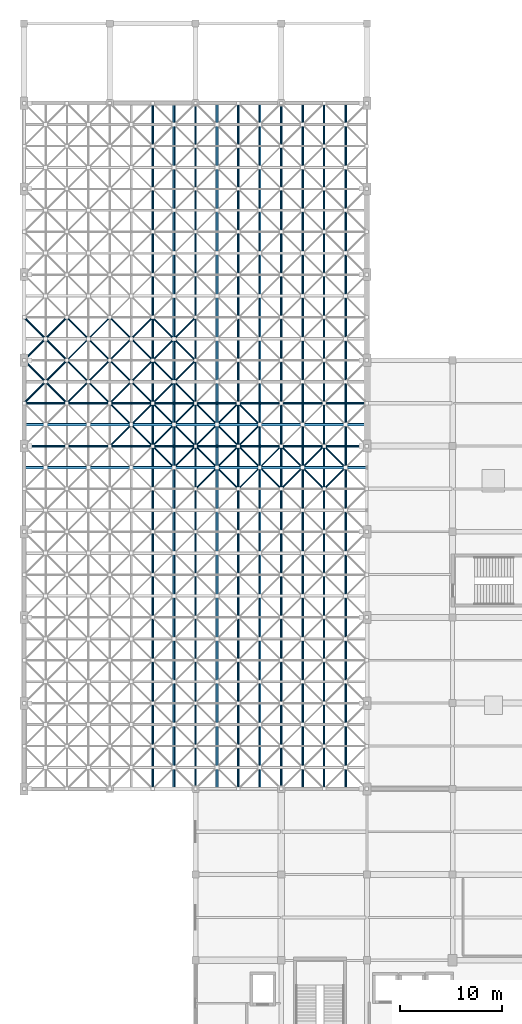
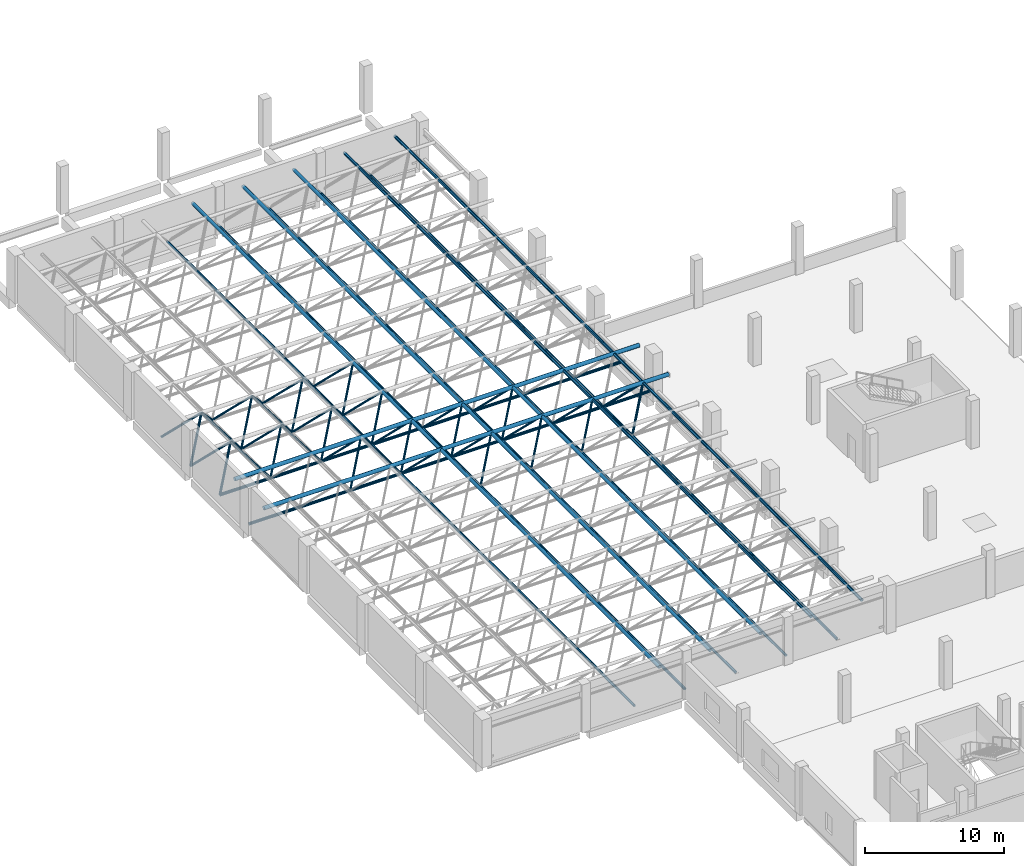
# One storey, part 27 of 64: 76 members.
"""IFC4 building model written with IfcOpenShell, lengths in metres."""

from ifc_helpers import new_model, si_unit, derived_unit, direction, frame, origin, origin_2d, place, context, subcontext, project, spatial, hollow_circle, extrude, material, material_profile, profile_set, type_object, element, save


model = new_model("IFC4")

# Units and contexts
model_context = context("Model", 3, precision=1e-05, world=origin(), true_north=direction((0.0, 1.0)))
body_context = subcontext(model_context, "Body", "Model", "MODEL_VIEW")
ifc_project = project(units=[si_unit("LENGTHUNIT", "METRE"), si_unit("AREAUNIT", "SQUARE_METRE"), si_unit("VOLUMEUNIT", "CUBIC_METRE"), si_unit("PLANEANGLEUNIT", "RADIAN"), si_unit("MASSUNIT", "GRAM", prefix="KILO"), derived_unit("THERMALTRANSMITTANCEUNIT", [(si_unit("POWERUNIT", "WATT"), 1), (si_unit("LENGTHUNIT", "METRE"), -2), (si_unit("THERMODYNAMICTEMPERATUREUNIT", "KELVIN"), -1)])], contexts=[model_context])

# Site, building, storey
site_placement = place(None, origin())
site = spatial("IfcSite", under=ifc_project, at=site_placement, CompositionType="ELEMENT")
building_placement = place(site_placement, origin())
building = spatial("IfcBuilding", under=site, at=building_placement, Name="Barrovel Congress Hotel", CompositionType="ELEMENT")
storey_placement = place(building_placement, frame((0.0, 0.0, 14.10009765625)))
storey = spatial("IfcBuildingStorey", under=building, at=storey_placement, Name="L03", CompositionType="ELEMENT", Elevation=14.10009765625)

# Members
ifc_material = material(Name="Steel ASTM A500 Grade C", Category="steel")
ifc_material_profile_1 = material_profile(ifc_material, hollow_circle(Radius=0.084228515625, WallThickness=0.006591796875, at=origin_2d()), Name="CHS168.3x7.1")
ifc_profile_set_1 = profile_set([ifc_material_profile_1], Name="Steel ASTM A500 Grade C")
member_type_1 = type_object("IfcMemberType", Name="MEM-CHS168.3x7.1", PredefinedType="BRACE", material=ifc_profile_set_1)
for number, where, z_axis, x_axis, name in (
    (1, (4.199951171875, 79.800048828125, 0.599853515625), (0.527618240532, 0.527556903839, 0.665809811786), (-0.707065676302, 0.707147883682, 0.0), "Space Frame Roof Truss Diagonal 1-10-1"),
    (2, (8.39990234375, 79.800048828125, 0.599853515625), (-0.527573976661, 0.527573976661, 0.665831358755), (-0.707106781187, -0.707106781187, 0.0), "Space Frame Roof Truss Diagonal 1-10-2"),
):
    element("IfcMember", number, at=place(storey_placement, frame(where, z_axis=z_axis, x_axis=x_axis)), inside=storey, type_object=member_type_1, Name=name, PredefinedType="BRACE", context=body_context, shape_type="SweptSolid", body=[
        extrude(hollow_circle(Radius=0.084228515625, WallThickness=0.006591796875, at=origin_2d()), origin(), (0.0, 0.0, 1.0), 3.980224609375),
    ])
member_1_placement = place(storey_placement, frame((4.199951171875, 84.0, 0.599853515625), z_axis=(0.527601167383, -0.527601167383, 0.665788266908), x_axis=(0.707106781187, 0.707106781187, 0.0)))
element("IfcMember", 3, at=member_1_placement, inside=storey, type_object=member_type_1, Name="Space Frame Roof Truss Diagonal 1-10-3", PredefinedType="BRACE", context=body_context, shape_type="SweptSolid", body=[
    extrude(hollow_circle(Radius=0.084228515625, WallThickness=0.006591796875, at=origin_2d()), origin(), (0.0, 0.0, 1.0), 3.98046875),
])
for number, where, z_axis, x_axis, name in (
    (4, (8.39990234375, 84.0, 0.599853515625), (-0.527556903839, -0.527618240532, 0.665809811786), (0.707147883682, -0.707065676302, 0.0), "Space Frame Roof Truss Diagonal 1-10-4"),
    (5, (8.39990234375, 75.60009765625, 0.599853515625), (0.527618240532, 0.527556903839, 0.665809811786), (-0.707065676302, 0.707147883682, 0.0), "Space Frame Roof Truss Diagonal 2-9-1"),
    (6, (12.60009765625, 75.60009765625, 0.599853515625), (-0.527618240532, 0.527556903839, 0.665809811786), (-0.707065676302, -0.707147883682, 0.0), "Space Frame Roof Truss Diagonal 2-9-2"),
):
    element("IfcMember", number, at=place(storey_placement, frame(where, z_axis=z_axis, x_axis=x_axis)), inside=storey, type_object=member_type_1, Name=name, PredefinedType="BRACE", context=body_context, shape_type="SweptSolid", body=[
        extrude(hollow_circle(Radius=0.084228515625, WallThickness=0.006591796875, at=origin_2d()), origin(), (0.0, 0.0, 1.0), 3.980224609375),
    ])
for number, where, z_axis, x_axis, name in (
    (7, (8.39990234375, 79.800048828125, 0.599853515625), (0.527601167383, -0.527601167383, 0.665788266908), (0.707106781187, 0.707106781187, 0.0), "Space Frame Roof Truss Diagonal 2-9-3"),
    (8, (12.60009765625, 79.800048828125, 0.599853515625), (-0.527601167383, -0.527601167383, 0.665788266908), (0.707106781187, -0.707106781187, 0.0), "Space Frame Roof Truss Diagonal 2-9-4"),
):
    element("IfcMember", number, at=place(storey_placement, frame(where, z_axis=z_axis, x_axis=x_axis)), inside=storey, type_object=member_type_1, Name=name, PredefinedType="BRACE", context=body_context, shape_type="SweptSolid", body=[
        extrude(hollow_circle(Radius=0.084228515625, WallThickness=0.006591796875, at=origin_2d()), origin(), (0.0, 0.0, 1.0), 3.98046875),
    ])
member_2_placement = place(storey_placement, frame((12.60009765625, 71.39990234375, 0.599853515625), z_axis=(0.527556903839, 0.527618240532, 0.665809811786), x_axis=(-0.707147883682, 0.707065676302, 0.0)))
element("IfcMember", 9, at=member_2_placement, inside=storey, type_object=member_type_1, Name="Space Frame Roof Truss Diagonal 3-8-1", PredefinedType="BRACE", context=body_context, shape_type="SweptSolid", body=[
    extrude(hollow_circle(Radius=0.084228515625, WallThickness=0.006591796875, at=origin_2d()), origin(), (0.0, 0.0, 1.0), 3.980224609375),
])
member_3_placement = place(storey_placement, frame((16.800048828125, 71.39990234375, 0.599853515625), z_axis=(-0.527601167383, 0.527601167383, 0.665788266908), x_axis=(-0.707106781187, -0.707106781187, 0.0)))
element("IfcMember", 10, at=member_3_placement, inside=storey, type_object=member_type_1, Name="Space Frame Roof Truss Diagonal 3-8-2", PredefinedType="BRACE", context=body_context, shape_type="SweptSolid", body=[
    extrude(hollow_circle(Radius=0.084228515625, WallThickness=0.006591796875, at=origin_2d()), origin(), (0.0, 0.0, 1.0), 3.98046875),
])
member_4_placement = place(storey_placement, frame((12.60009765625, 75.60009765625, 0.599853515625), z_axis=(0.527556903839, -0.527618240532, 0.665809811786), x_axis=(0.707147883682, 0.707065676302, 0.0)))
element("IfcMember", 11, at=member_4_placement, inside=storey, type_object=member_type_1, Name="Space Frame Roof Truss Diagonal 3-8-3", PredefinedType="BRACE", context=body_context, shape_type="SweptSolid", body=[
    extrude(hollow_circle(Radius=0.084228515625, WallThickness=0.006591796875, at=origin_2d()), origin(), (0.0, 0.0, 1.0), 3.980224609375),
])
member_5_placement = place(storey_placement, frame((16.800048828125, 75.60009765625, 0.599853515625), z_axis=(-0.527601167383, -0.527601167383, 0.665788266908), x_axis=(0.707106781187, -0.707106781187, 0.0)))
element("IfcMember", 12, at=member_5_placement, inside=storey, type_object=member_type_1, Name="Space Frame Roof Truss Diagonal 3-8-4", PredefinedType="BRACE", context=body_context, shape_type="SweptSolid", body=[
    extrude(hollow_circle(Radius=0.084228515625, WallThickness=0.006591796875, at=origin_2d()), origin(), (0.0, 0.0, 1.0), 3.98046875),
])
for number, where, z_axis, x_axis, name in (
    (13, (12.60009765625, 79.800048828125, 0.599853515625), (0.527573976661, 0.527573976661, 0.665831358755), (-0.707106781187, 0.707106781187, 0.0), "Space Frame Roof Truss Diagonal 3-10-1"),
    (14, (16.800048828125, 79.800048828125, 0.599853515625), (-0.527618240532, 0.527556903839, 0.665809811786), (-0.707065676302, -0.707147883682, 0.0), "Space Frame Roof Truss Diagonal 3-10-2"),
    (15, (12.60009765625, 84.0, 0.599853515625), (0.527556903839, -0.527618240532, 0.665809811786), (0.707147883682, 0.707065676302, 0.0), "Space Frame Roof Truss Diagonal 3-10-3"),
):
    element("IfcMember", number, at=place(storey_placement, frame(where, z_axis=z_axis, x_axis=x_axis)), inside=storey, type_object=member_type_1, Name=name, PredefinedType="BRACE", context=body_context, shape_type="SweptSolid", body=[
        extrude(hollow_circle(Radius=0.084228515625, WallThickness=0.006591796875, at=origin_2d()), origin(), (0.0, 0.0, 1.0), 3.980224609375),
    ])
member_6_placement = place(storey_placement, frame((16.800048828125, 84.0, 0.599853515625), z_axis=(-0.527601167383, -0.527601167383, 0.665788266908), x_axis=(0.707106781187, -0.707106781187, 0.0)))
element("IfcMember", 16, at=member_6_placement, inside=storey, type_object=member_type_1, Name="Space Frame Roof Truss Diagonal 3-10-4", PredefinedType="BRACE", context=body_context, shape_type="SweptSolid", body=[
    extrude(hollow_circle(Radius=0.084228515625, WallThickness=0.006591796875, at=origin_2d()), origin(), (0.0, 0.0, 1.0), 3.98046875),
])
member_7_placement = place(storey_placement, frame((16.800048828125, 67.199951171875, 0.599853515625), z_axis=(0.527556903839, 0.527618240532, 0.665809811786), x_axis=(-0.707147883682, 0.707065676302, 0.0)))
element("IfcMember", 17, at=member_7_placement, inside=storey, type_object=member_type_1, Name="Space Frame Roof Truss Diagonal 4-7-1", PredefinedType="BRACE", context=body_context, shape_type="SweptSolid", body=[
    extrude(hollow_circle(Radius=0.084228515625, WallThickness=0.006591796875, at=origin_2d()), origin(), (0.0, 0.0, 1.0), 3.980224609375),
])
member_8_placement = place(storey_placement, frame((21.0, 67.199951171875, 0.599853515625), z_axis=(-0.527601167383, 0.527601167383, 0.665788266908), x_axis=(-0.707106781187, -0.707106781187, 0.0)))
element("IfcMember", 18, at=member_8_placement, inside=storey, type_object=member_type_1, Name="Space Frame Roof Truss Diagonal 4-7-2", PredefinedType="BRACE", context=body_context, shape_type="SweptSolid", body=[
    extrude(hollow_circle(Radius=0.084228515625, WallThickness=0.006591796875, at=origin_2d()), origin(), (0.0, 0.0, 1.0), 3.98046875),
])
for number, where, z_axis, x_axis, name in (
    (19, (16.800048828125, 71.39990234375, 0.599853515625), (0.527573976661, -0.527573976661, 0.665831358755), (0.707106781187, 0.707106781187, 0.0), "Space Frame Roof Truss Diagonal 4-7-3"),
    (20, (21.0, 71.39990234375, 0.599853515625), (-0.527618240532, -0.527556903839, 0.665809811786), (0.707065676302, -0.707147883682, 0.0), "Space Frame Roof Truss Diagonal 4-7-4"),
):
    element("IfcMember", number, at=place(storey_placement, frame(where, z_axis=z_axis, x_axis=x_axis)), inside=storey, type_object=member_type_1, Name=name, PredefinedType="BRACE", context=body_context, shape_type="SweptSolid", body=[
        extrude(hollow_circle(Radius=0.084228515625, WallThickness=0.006591796875, at=origin_2d()), origin(), (0.0, 0.0, 1.0), 3.980224609375),
    ])
for number, where, z_axis, x_axis, name in (
    (21, (21.0, 71.39990234375, 0.599853515625), (0.527601167383, 0.527601167383, 0.665788266908), (-0.707106781187, 0.707106781187, 0.0), "Space Frame Roof Truss Diagonal 5-8-1"),
    (22, (21.0, 75.60009765625, 0.599853515625), (0.527601167383, -0.527601167383, 0.665788266908), (0.707106781187, 0.707106781187, 0.0), "Space Frame Roof Truss Diagonal 5-8-3"),
    (23, (25.199951171875, 67.199951171875, 0.599853515625), (0.527601167383, 0.527601167383, 0.665788266908), (-0.707106781187, 0.707106781187, 0.0), "Space Frame Roof Truss Diagonal 6-7-1"),
):
    element("IfcMember", number, at=place(storey_placement, frame(where, z_axis=z_axis, x_axis=x_axis)), inside=storey, type_object=member_type_1, Name=name, PredefinedType="BRACE", context=body_context, shape_type="SweptSolid", body=[
        extrude(hollow_circle(Radius=0.084228515625, WallThickness=0.006591796875, at=origin_2d()), origin(), (0.0, 0.0, 1.0), 3.98046875),
    ])
for number, where, z_axis, x_axis, name in (
    (24, (29.39990234375, 67.199951171875, 0.599853515625), (-0.527556903839, 0.527618240532, 0.665809811786), (-0.707147883682, -0.707065676302, 0.0), "Space Frame Roof Truss Diagonal 6-7-2"),
    (25, (25.199951171875, 71.39990234375, 0.599853515625), (0.527618240532, -0.527556903839, 0.665809811786), (0.707065676302, 0.707147883682, 0.0), "Space Frame Roof Truss Diagonal 6-7-3"),
    (26, (29.39990234375, 71.39990234375, 0.599853515625), (-0.527573976661, -0.527573976661, 0.665831358755), (0.707106781187, -0.707106781187, 0.0), "Space Frame Roof Truss Diagonal 6-7-4"),
):
    element("IfcMember", number, at=place(storey_placement, frame(where, z_axis=z_axis, x_axis=x_axis)), inside=storey, type_object=member_type_1, Name=name, PredefinedType="BRACE", context=body_context, shape_type="SweptSolid", body=[
        extrude(hollow_circle(Radius=0.084228515625, WallThickness=0.006591796875, at=origin_2d()), origin(), (0.0, 0.0, 1.0), 3.980224609375),
    ])
ifc_material_profile_2 = material_profile(ifc_material, hollow_circle(Radius=0.084228515625, WallThickness=0.0087890625, at=origin_2d()), Name="CHS168.3x9.5")
ifc_profile_set_2 = profile_set([ifc_material_profile_2], Name="Steel ASTM A500 Grade C")
member_type_2 = type_object("IfcMemberType", Name="MEM-CHS168.3x9.5", PredefinedType="BRACE", material=ifc_profile_set_2)
for number, where, z_axis, x_axis, name in (
    (27, (4.199951171875, 75.60009765625, 0.599853515625), (0.527618240532, 0.527556903839, 0.665809811786), (-0.707065676302, 0.707147883682, 0.0), "Space Frame Roof Truss Diagonal 1-9-1"),
    (28, (8.39990234375, 75.60009765625, 0.599853515625), (-0.527573976661, 0.527573976661, 0.665831358755), (-0.707106781187, -0.707106781187, 0.0), "Space Frame Roof Truss Diagonal 1-9-2"),
):
    element("IfcMember", number, at=place(storey_placement, frame(where, z_axis=z_axis, x_axis=x_axis)), inside=storey, type_object=member_type_2, Name=name, PredefinedType="BRACE", context=body_context, shape_type="SweptSolid", body=[
        extrude(hollow_circle(Radius=0.084228515625, WallThickness=0.0087890625, at=origin_2d()), origin(), (0.0, 0.0, 1.0), 3.980224609375),
    ])
member_9_placement = place(storey_placement, frame((4.199951171875, 79.800048828125, 0.599853515625), z_axis=(0.527601167383, -0.527601167383, 0.665788266908), x_axis=(0.707106781187, 0.707106781187, 0.0)))
element("IfcMember", 29, at=member_9_placement, inside=storey, type_object=member_type_2, Name="Space Frame Roof Truss Diagonal 1-9-3", PredefinedType="BRACE", context=body_context, shape_type="SweptSolid", body=[
    extrude(hollow_circle(Radius=0.084228515625, WallThickness=0.0087890625, at=origin_2d()), origin(), (0.0, 0.0, 1.0), 3.98046875),
])
member_10_placement = place(storey_placement, frame((8.39990234375, 79.800048828125, 0.599853515625), z_axis=(-0.527556903839, -0.527618240532, 0.665809811786), x_axis=(0.707147883682, -0.707065676302, 0.0)))
element("IfcMember", 30, at=member_10_placement, inside=storey, type_object=member_type_2, Name="Space Frame Roof Truss Diagonal 1-9-4", PredefinedType="BRACE", context=body_context, shape_type="SweptSolid", body=[
    extrude(hollow_circle(Radius=0.084228515625, WallThickness=0.0087890625, at=origin_2d()), origin(), (0.0, 0.0, 1.0), 3.980224609375),
])
for number, where, z_axis, x_axis, name in (
    (31, (8.39990234375, 71.39990234375, 0.599853515625), (0.527601167383, 0.527601167383, 0.665788266908), (-0.707106781187, 0.707106781187, 0.0), "Space Frame Roof Truss Diagonal 2-8-1"),
    (32, (12.60009765625, 71.39990234375, 0.599853515625), (-0.527601167383, 0.527601167383, 0.665788266908), (-0.707106781187, -0.707106781187, 0.0), "Space Frame Roof Truss Diagonal 2-8-2"),
    (33, (8.39990234375, 75.60009765625, 0.599853515625), (0.527601167383, -0.527601167383, 0.665788266908), (0.707106781187, 0.707106781187, 0.0), "Space Frame Roof Truss Diagonal 2-8-3"),
    (34, (12.60009765625, 75.60009765625, 0.599853515625), (-0.527601167383, -0.527601167383, 0.665788266908), (0.707106781187, -0.707106781187, 0.0), "Space Frame Roof Truss Diagonal 2-8-4"),
):
    element("IfcMember", number, at=place(storey_placement, frame(where, z_axis=z_axis, x_axis=x_axis)), inside=storey, type_object=member_type_2, Name=name, PredefinedType="BRACE", context=body_context, shape_type="SweptSolid", body=[
        extrude(hollow_circle(Radius=0.084228515625, WallThickness=0.0087890625, at=origin_2d()), origin(), (0.0, 0.0, 1.0), 3.98046875),
    ])
for number, where, z_axis, x_axis, name in (
    (35, (8.39990234375, 79.800048828125, 0.599853515625), (0.527618240532, 0.527556903839, 0.665809811786), (-0.707065676302, 0.707147883682, 0.0), "Space Frame Roof Truss Diagonal 2-10-1"),
    (36, (12.60009765625, 79.800048828125, 0.599853515625), (-0.527618240532, 0.527556903839, 0.665809811786), (-0.707065676302, -0.707147883682, 0.0), "Space Frame Roof Truss Diagonal 2-10-2"),
):
    element("IfcMember", number, at=place(storey_placement, frame(where, z_axis=z_axis, x_axis=x_axis)), inside=storey, type_object=member_type_2, Name=name, PredefinedType="BRACE", context=body_context, shape_type="SweptSolid", body=[
        extrude(hollow_circle(Radius=0.084228515625, WallThickness=0.0087890625, at=origin_2d()), origin(), (0.0, 0.0, 1.0), 3.980224609375),
    ])
for number, where, z_axis, x_axis, name in (
    (37, (8.39990234375, 84.0, 0.599853515625), (0.527601167383, -0.527601167383, 0.665788266908), (0.707106781187, 0.707106781187, 0.0), "Space Frame Roof Truss Diagonal 2-10-3"),
    (38, (12.60009765625, 84.0, 0.599853515625), (-0.527601167383, -0.527601167383, 0.665788266908), (0.707106781187, -0.707106781187, 0.0), "Space Frame Roof Truss Diagonal 2-10-4"),
):
    element("IfcMember", number, at=place(storey_placement, frame(where, z_axis=z_axis, x_axis=x_axis)), inside=storey, type_object=member_type_2, Name=name, PredefinedType="BRACE", context=body_context, shape_type="SweptSolid", body=[
        extrude(hollow_circle(Radius=0.084228515625, WallThickness=0.0087890625, at=origin_2d()), origin(), (0.0, 0.0, 1.0), 3.98046875),
    ])
for number, where, z_axis, x_axis, name in (
    (39, (12.60009765625, 71.39990234375, 0.599853515625), (0.527573976661, -0.527573976661, 0.665831358755), (0.707106781187, 0.707106781187, 0.0), "Space Frame Roof Truss Diagonal 3-7-3"),
    (40, (16.800048828125, 71.39990234375, 0.599853515625), (-0.527618240532, -0.527556903839, 0.665809811786), (0.707065676302, -0.707147883682, 0.0), "Space Frame Roof Truss Diagonal 3-7-4"),
    (41, (12.60009765625, 75.60009765625, 0.599853515625), (0.527573976661, 0.527573976661, 0.665831358755), (-0.707106781187, 0.707106781187, 0.0), "Space Frame Roof Truss Diagonal 3-9-1"),
    (42, (16.800048828125, 75.60009765625, 0.599853515625), (-0.527618240532, 0.527556903839, 0.665809811786), (-0.707065676302, -0.707147883682, 0.0), "Space Frame Roof Truss Diagonal 3-9-2"),
    (43, (12.60009765625, 79.800048828125, 0.599853515625), (0.527556903839, -0.527618240532, 0.665809811786), (0.707147883682, 0.707065676302, 0.0), "Space Frame Roof Truss Diagonal 3-9-3"),
):
    element("IfcMember", number, at=place(storey_placement, frame(where, z_axis=z_axis, x_axis=x_axis)), inside=storey, type_object=member_type_2, Name=name, PredefinedType="BRACE", context=body_context, shape_type="SweptSolid", body=[
        extrude(hollow_circle(Radius=0.084228515625, WallThickness=0.0087890625, at=origin_2d()), origin(), (0.0, 0.0, 1.0), 3.980224609375),
    ])
member_11_placement = place(storey_placement, frame((16.800048828125, 79.800048828125, 0.599853515625), z_axis=(-0.527601167383, -0.527601167383, 0.665788266908), x_axis=(0.707106781187, -0.707106781187, 0.0)))
element("IfcMember", 44, at=member_11_placement, inside=storey, type_object=member_type_2, Name="Space Frame Roof Truss Diagonal 3-9-4", PredefinedType="BRACE", context=body_context, shape_type="SweptSolid", body=[
    extrude(hollow_circle(Radius=0.084228515625, WallThickness=0.0087890625, at=origin_2d()), origin(), (0.0, 0.0, 1.0), 3.98046875),
])
member_12_placement = place(storey_placement, frame((16.800048828125, 71.39990234375, 0.599853515625), z_axis=(0.527556903839, 0.527618240532, 0.665809811786), x_axis=(-0.707147883682, 0.707065676302, 0.0)))
element("IfcMember", 45, at=member_12_placement, inside=storey, type_object=member_type_2, Name="Space Frame Roof Truss Diagonal 4-8-1", PredefinedType="BRACE", context=body_context, shape_type="SweptSolid", body=[
    extrude(hollow_circle(Radius=0.084228515625, WallThickness=0.0087890625, at=origin_2d()), origin(), (0.0, 0.0, 1.0), 3.980224609375),
])
member_13_placement = place(storey_placement, frame((21.0, 71.39990234375, 0.599853515625), z_axis=(-0.527601167383, 0.527601167383, 0.665788266908), x_axis=(-0.707106781187, -0.707106781187, 0.0)))
element("IfcMember", 46, at=member_13_placement, inside=storey, type_object=member_type_2, Name="Space Frame Roof Truss Diagonal 4-8-2", PredefinedType="BRACE", context=body_context, shape_type="SweptSolid", body=[
    extrude(hollow_circle(Radius=0.084228515625, WallThickness=0.0087890625, at=origin_2d()), origin(), (0.0, 0.0, 1.0), 3.98046875),
])
member_14_placement = place(storey_placement, frame((16.800048828125, 75.60009765625, 0.599853515625), z_axis=(0.527556903839, -0.527618240532, 0.665809811786), x_axis=(0.707147883682, 0.707065676302, 0.0)))
element("IfcMember", 47, at=member_14_placement, inside=storey, type_object=member_type_2, Name="Space Frame Roof Truss Diagonal 4-8-3", PredefinedType="BRACE", context=body_context, shape_type="SweptSolid", body=[
    extrude(hollow_circle(Radius=0.084228515625, WallThickness=0.0087890625, at=origin_2d()), origin(), (0.0, 0.0, 1.0), 3.980224609375),
])
for number, where, z_axis, x_axis, name in (
    (48, (21.0, 75.60009765625, 0.599853515625), (-0.527601167383, -0.527601167383, 0.665788266908), (0.707106781187, -0.707106781187, 0.0), "Space Frame Roof Truss Diagonal 4-8-4"),
    (49, (21.0, 67.199951171875, 0.599853515625), (0.527601167383, 0.527601167383, 0.665788266908), (-0.707106781187, 0.707106781187, 0.0), "Space Frame Roof Truss Diagonal 5-7-1"),
):
    element("IfcMember", number, at=place(storey_placement, frame(where, z_axis=z_axis, x_axis=x_axis)), inside=storey, type_object=member_type_2, Name=name, PredefinedType="BRACE", context=body_context, shape_type="SweptSolid", body=[
        extrude(hollow_circle(Radius=0.084228515625, WallThickness=0.0087890625, at=origin_2d()), origin(), (0.0, 0.0, 1.0), 3.98046875),
    ])
for number, where, z_axis, x_axis, name in (
    (50, (25.199951171875, 67.199951171875, 0.599853515625), (-0.527556903839, 0.527618240532, 0.665809811786), (-0.707147883682, -0.707065676302, 0.0), "Space Frame Roof Truss Diagonal 5-7-2"),
    (51, (21.0, 71.39990234375, 0.599853515625), (0.527618240532, -0.527556903839, 0.665809811786), (0.707065676302, 0.707147883682, 0.0), "Space Frame Roof Truss Diagonal 5-7-3"),
    (52, (25.199951171875, 71.39990234375, 0.599853515625), (-0.527573976661, -0.527573976661, 0.665831358755), (0.707106781187, -0.707106781187, 0.0), "Space Frame Roof Truss Diagonal 5-7-4"),
):
    element("IfcMember", number, at=place(storey_placement, frame(where, z_axis=z_axis, x_axis=x_axis)), inside=storey, type_object=member_type_2, Name=name, PredefinedType="BRACE", context=body_context, shape_type="SweptSolid", body=[
        extrude(hollow_circle(Radius=0.084228515625, WallThickness=0.0087890625, at=origin_2d()), origin(), (0.0, 0.0, 1.0), 3.980224609375),
    ])
ifc_material_profile_3 = material_profile(ifc_material, hollow_circle(Radius=0.096923828125, WallThickness=0.0087890625, at=origin_2d()), Name="CHS193.7x9.5")
ifc_profile_set_3 = profile_set([ifc_material_profile_3], Name="Steel ASTM A500 Grade C")
member_type_3 = type_object("IfcMemberType", Name="MEM-CHS193.7x9.5", PredefinedType="BRACE", material=ifc_profile_set_3)
for number, where, z_axis, x_axis, name in (
    (53, (0.0, 75.60009765625, 0.599853515625), (0.527618240532, 0.527556903839, 0.665809811786), (-0.707065676302, 0.707147883682, 0.0), "Space Frame Roof Truss Diagonal 0-9-1"),
    (54, (4.199951171875, 75.60009765625, 0.599853515625), (-0.527573976661, 0.527573976661, 0.665831358755), (-0.707106781187, -0.707106781187, 0.0), "Space Frame Roof Truss Diagonal 0-9-2"),
):
    element("IfcMember", number, at=place(storey_placement, frame(where, z_axis=z_axis, x_axis=x_axis)), inside=storey, type_object=member_type_3, Name=name, PredefinedType="BRACE", context=body_context, shape_type="SweptSolid", body=[
        extrude(hollow_circle(Radius=0.096923828125, WallThickness=0.0087890625, at=origin_2d()), origin(), (0.0, 0.0, 1.0), 3.980224609375),
    ])
member_15_placement = place(storey_placement, frame((0.0, 79.800048828125, 0.599853515625), z_axis=(0.527601167383, -0.527601167383, 0.665788266908), x_axis=(0.707106781187, 0.707106781187, 0.0)))
element("IfcMember", 55, at=member_15_placement, inside=storey, type_object=member_type_3, Name="Space Frame Roof Truss Diagonal 0-9-3", PredefinedType="BRACE", context=body_context, shape_type="SweptSolid", body=[
    extrude(hollow_circle(Radius=0.096923828125, WallThickness=0.0087890625, at=origin_2d()), origin(), (0.0, 0.0, 1.0), 3.98046875),
])
for number, where, z_axis, x_axis, name in (
    (56, (4.199951171875, 79.800048828125, 0.599853515625), (-0.527556903839, -0.527618240532, 0.665809811786), (0.707147883682, -0.707065676302, 0.0), "Space Frame Roof Truss Diagonal 0-9-4"),
    (57, (0.0, 79.800048828125, 0.599853515625), (0.527618240532, 0.527556903839, 0.665809811786), (-0.707065676302, 0.707147883682, 0.0), "Space Frame Roof Truss Diagonal 0-10-1"),
    (58, (4.199951171875, 79.800048828125, 0.599853515625), (-0.527573976661, 0.527573976661, 0.665831358755), (-0.707106781187, -0.707106781187, 0.0), "Space Frame Roof Truss Diagonal 0-10-2"),
):
    element("IfcMember", number, at=place(storey_placement, frame(where, z_axis=z_axis, x_axis=x_axis)), inside=storey, type_object=member_type_3, Name=name, PredefinedType="BRACE", context=body_context, shape_type="SweptSolid", body=[
        extrude(hollow_circle(Radius=0.096923828125, WallThickness=0.0087890625, at=origin_2d()), origin(), (0.0, 0.0, 1.0), 3.980224609375),
    ])
member_16_placement = place(storey_placement, frame((0.0, 84.0, 0.599853515625), z_axis=(0.527601167383, -0.527601167383, 0.665788266908), x_axis=(0.707106781187, 0.707106781187, 0.0)))
element("IfcMember", 59, at=member_16_placement, inside=storey, type_object=member_type_3, Name="Space Frame Roof Truss Diagonal 0-10-3", PredefinedType="BRACE", context=body_context, shape_type="SweptSolid", body=[
    extrude(hollow_circle(Radius=0.096923828125, WallThickness=0.0087890625, at=origin_2d()), origin(), (0.0, 0.0, 1.0), 3.98046875),
])
member_17_placement = place(storey_placement, frame((4.199951171875, 84.0, 0.599853515625), z_axis=(-0.527556903839, -0.527618240532, 0.665809811786), x_axis=(0.707147883682, -0.707065676302, 0.0)))
element("IfcMember", 60, at=member_17_placement, inside=storey, type_object=member_type_3, Name="Space Frame Roof Truss Diagonal 0-10-4", PredefinedType="BRACE", context=body_context, shape_type="SweptSolid", body=[
    extrude(hollow_circle(Radius=0.096923828125, WallThickness=0.0087890625, at=origin_2d()), origin(), (0.0, 0.0, 1.0), 3.980224609375),
])
member_18_placement = place(storey_placement, frame((29.39990234375, 67.199951171875, 0.599853515625), z_axis=(0.527601167383, 0.527601167383, 0.665788266908), x_axis=(-0.707106781187, 0.707106781187, 0.0)))
element("IfcMember", 61, at=member_18_placement, inside=storey, type_object=member_type_3, Name="Space Frame Roof Truss Diagonal 7-7-1", PredefinedType="BRACE", context=body_context, shape_type="SweptSolid", body=[
    extrude(hollow_circle(Radius=0.096923828125, WallThickness=0.0087890625, at=origin_2d()), origin(), (0.0, 0.0, 1.0), 3.98046875),
])
member_19_placement = place(storey_placement, frame((29.39990234375, 71.39990234375, 0.599853515625), z_axis=(0.527618240532, -0.527556903839, 0.665809811786), x_axis=(0.707065676302, 0.707147883682, 0.0)))
element("IfcMember", 62, at=member_19_placement, inside=storey, type_object=member_type_3, Name="Space Frame Roof Truss Diagonal 7-7-3", PredefinedType="BRACE", context=body_context, shape_type="SweptSolid", body=[
    extrude(hollow_circle(Radius=0.096923828125, WallThickness=0.0087890625, at=origin_2d()), origin(), (0.0, 0.0, 1.0), 3.980224609375),
])
ifc_material_profile_4 = material_profile(ifc_material, hollow_circle(Radius=0.109619140625, WallThickness=0.01171875, at=origin_2d()), Name="CHS219.1x12.7")
ifc_profile_set_4 = profile_set([ifc_material_profile_4], Name="Steel ASTM A500 Grade C")
member_type_4 = type_object("IfcMemberType", Name="MEM-CHS219.1x12.7", PredefinedType="CHORD", material=ifc_profile_set_4)
for number, where, z_axis, x_axis, name in (
    (63, (12.60009765625, 37.800048828125, 0.599853515625), (0.0, 1.0, 0.0), (-1.0, 0.0, 0.0), "Space Frame Roof Truss Bottom Chord Y 3"),
    (64, (16.800048828125, 37.800048828125, 0.599853515625), (0.0, 1.0, 0.0), (-1.0, 0.0, 0.0), "Space Frame Roof Truss Bottom Chord Y 4"),
    (65, (21.0, 37.800048828125, 0.599853515625), (0.0, 1.0, 0.0), (-1.0, 0.0, 0.0), "Space Frame Roof Truss Bottom Chord Y 5"),
    (66, (25.199951171875, 37.800048828125, 0.599853515625), (0.0, 1.0, 0.0), (-1.0, 0.0, 0.0), "Space Frame Roof Truss Bottom Chord Y 6"),
):
    element("IfcMember", number, at=place(storey_placement, frame(where, z_axis=z_axis, x_axis=x_axis)), inside=storey, type_object=member_type_4, Name=name, PredefinedType="CHORD", context=body_context, shape_type="SweptSolid", body=[
        extrude(hollow_circle(Radius=0.109619140625, WallThickness=0.01171875, at=origin_2d()), origin(), (0.0, 0.0, 1.0), 67.199951171875),
    ])
ifc_material_profile_5 = material_profile(ifc_material, hollow_circle(Radius=0.109619140625, WallThickness=0.0087890625, at=origin_2d()), Name="CHS219.1x9.5")
ifc_profile_set_5 = profile_set([ifc_material_profile_5], Name="Steel ASTM A500 Grade C")
member_type_5 = type_object("IfcMemberType", Name="MEM-CHS219.1x9.5", PredefinedType="CHORD", material=ifc_profile_set_5)
member_20_placement = place(storey_placement, frame((29.39990234375, 37.800048828125, 0.599853515625), z_axis=(0.0, 1.0, 0.0), x_axis=(-1.0, 0.0, 0.0)))
element("IfcMember", 67, at=member_20_placement, inside=storey, type_object=member_type_5, Name="Space Frame Roof Truss Bottom Chord Y 7", PredefinedType="CHORD", context=body_context, shape_type="SweptSolid", body=[
    extrude(hollow_circle(Radius=0.109619140625, WallThickness=0.0087890625, at=origin_2d()), origin(), (0.0, 0.0, 1.0), 67.199951171875),
])
ifc_material_profile_6 = material_profile(ifc_material, hollow_circle(Radius=0.122314453125, WallThickness=0.01171875, at=origin_2d()), Name="CHS244.5x12.7")
ifc_profile_set_6 = profile_set([ifc_material_profile_6], Name="Steel ASTM A500 Grade C")
member_type_6 = type_object("IfcMemberType", Name="MEM-CHS244.5x12.7", PredefinedType="CHORD", material=ifc_profile_set_6)
for number, where, z_axis, x_axis, name in (
    (68, (0.0, 71.39990234375, 0.599853515625), (1.0, 0.0, 0.0), (0.0, 1.0, 0.0), "Space Frame Roof Truss Bottom Chord X 8"),
    (69, (0.0, 75.60009765625, 0.599853515625), (1.0, 0.0, 0.0), (0.0, 1.0, 0.0), "Space Frame Roof Truss Bottom Chord X 9"),
):
    element("IfcMember", number, at=place(storey_placement, frame(where, z_axis=z_axis, x_axis=x_axis)), inside=storey, type_object=member_type_6, Name=name, PredefinedType="CHORD", context=body_context, shape_type="SweptSolid", body=[
        extrude(hollow_circle(Radius=0.122314453125, WallThickness=0.01171875, at=origin_2d()), origin(), (0.0, 0.0, 1.0), 33.60009765625),
    ])
for number, where, z_axis, x_axis, name in (
    (70, (27.300048828125, 37.800048828125, 3.25), (0.0, 1.0, 0.0), (-1.0, 0.0, 0.0), "Space Frame Roof Truss Top Chord Y 6"),
    (71, (31.5, 37.800048828125, 3.25), (0.0, 1.0, 0.0), (-1.0, 0.0, 0.0), "Space Frame Roof Truss Top Chord Y 7"),
):
    element("IfcMember", number, at=place(storey_placement, frame(where, z_axis=z_axis, x_axis=x_axis)), inside=storey, type_object=member_type_6, Name=name, PredefinedType="CHORD", context=body_context, shape_type="SweptSolid", body=[
        extrude(hollow_circle(Radius=0.122314453125, WallThickness=0.01171875, at=origin_2d()), origin(), (0.0, 0.0, 1.0), 67.199951171875),
    ])
ifc_material_profile_7 = material_profile(ifc_material, hollow_circle(Radius=0.136474609375, WallThickness=0.01171875, at=origin_2d()), Name="CHS273.1x12.7")
ifc_profile_set_7 = profile_set([ifc_material_profile_7], Name="Steel ASTM A500 Grade C")
member_type_7 = type_object("IfcMemberType", Name="MEM-CHS273.1x12.7", PredefinedType="CHORD", material=ifc_profile_set_7)
for number, where, z_axis, x_axis, name in (
    (72, (14.699951171875, 37.800048828125, 3.25), (0.0, 1.0, 0.0), (-1.0, 0.0, 0.0), "Space Frame Roof Truss Top Chord Y 3"),
    (73, (18.89990234375, 37.800048828125, 3.25), (0.0, 1.0, 0.0), (-1.0, 0.0, 0.0), "Space Frame Roof Truss Top Chord Y 4"),
    (74, (23.10009765625, 37.800048828125, 3.25), (0.0, 1.0, 0.0), (-1.0, 0.0, 0.0), "Space Frame Roof Truss Top Chord Y 5"),
):
    element("IfcMember", number, at=place(storey_placement, frame(where, z_axis=z_axis, x_axis=x_axis)), inside=storey, type_object=member_type_7, Name=name, PredefinedType="CHORD", context=body_context, shape_type="SweptSolid", body=[
        extrude(hollow_circle(Radius=0.136474609375, WallThickness=0.01171875, at=origin_2d()), origin(), (0.0, 0.0, 1.0), 67.199951171875),
    ])
ifc_material_profile_8 = material_profile(ifc_material, hollow_circle(Radius=0.161865234375, WallThickness=0.01171875, at=origin_2d()), Name="CHS323.9x12.7")
ifc_profile_set_8 = profile_set([ifc_material_profile_8], Name="Steel ASTM A500 Grade C")
member_type_8 = type_object("IfcMemberType", Name="MEM-CHS323.9x12.7", PredefinedType="CHORD", material=ifc_profile_set_8)
for number, where, z_axis, x_axis, name in (
    (75, (0.0, 69.300048828125, 3.25), (1.0, 0.0, 0.0), (0.0, 1.0, 0.0), "Space Frame Roof Truss Top Chord X 7"),
    (76, (0.0, 73.5, 3.25), (1.0, 0.0, 0.0), (0.0, 1.0, 0.0), "Space Frame Roof Truss Top Chord X 8"),
):
    element("IfcMember", number, at=place(storey_placement, frame(where, z_axis=z_axis, x_axis=x_axis)), inside=storey, type_object=member_type_8, Name=name, PredefinedType="CHORD", context=body_context, shape_type="SweptSolid", body=[
        extrude(hollow_circle(Radius=0.161865234375, WallThickness=0.01171875, at=origin_2d()), origin(), (0.0, 0.0, 1.0), 33.60009765625),
    ])

save(model, "model.ifc")
